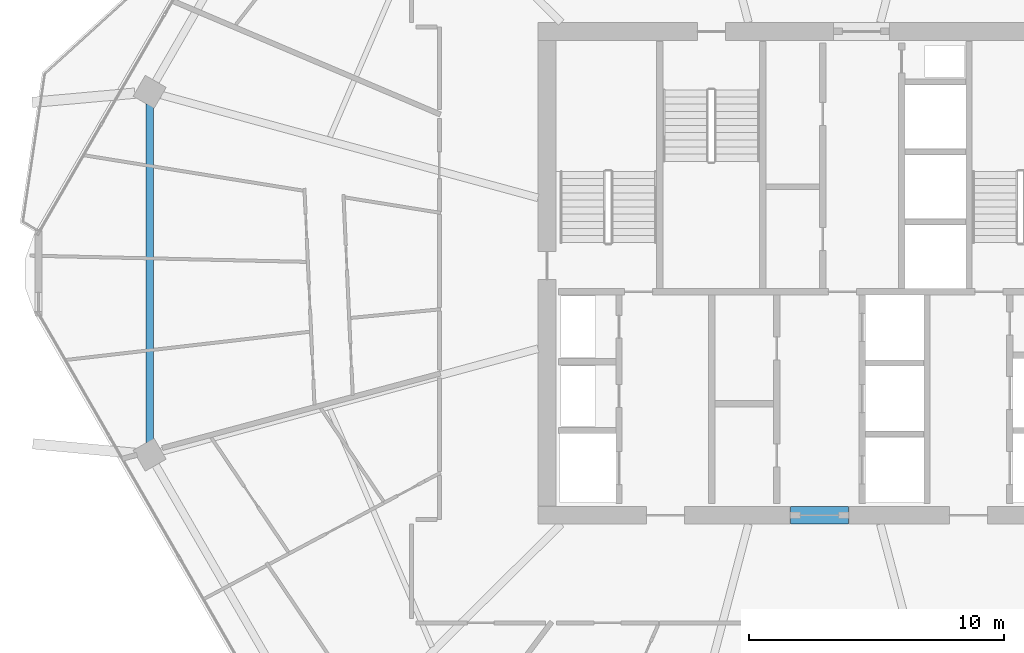
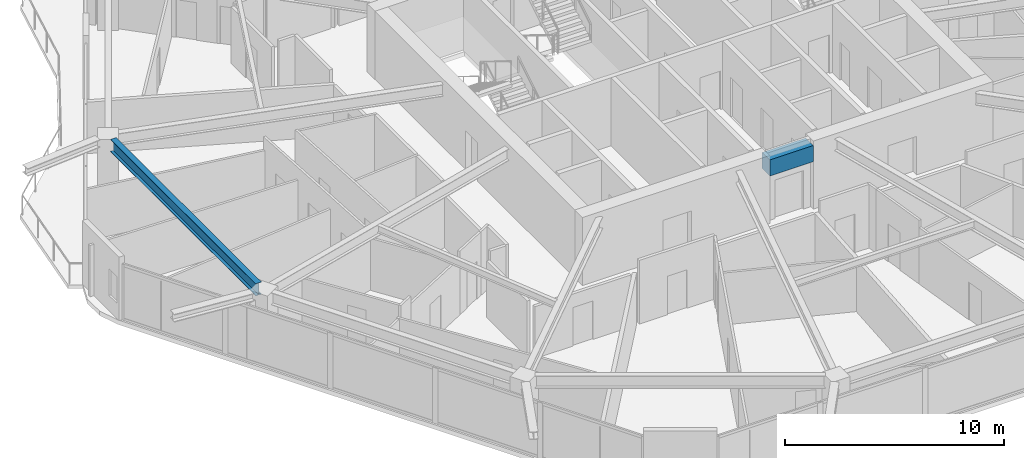
# One storey, part 6 of 27: 2 beams.
"""IFC4 building model written with IfcOpenShell, lengths in metres."""

from ifc_helpers import new_model, si_unit, direction, frame, origin, origin_2d, place, context, subcontext, project, spatial, rectangle, i_section, extrude, material, material_profile, profile_set, type_object, element, save


model = new_model("IFC4")

# Units and contexts
model_context = context("Model", 3, precision=1e-05, world=origin(), true_north=direction((0.0, 1.0)))
body_context = subcontext(model_context, "Body", "Model", "MODEL_VIEW")
ifc_project = project(units=[si_unit("LENGTHUNIT", "METRE"), si_unit("AREAUNIT", "SQUARE_METRE"), si_unit("VOLUMEUNIT", "CUBIC_METRE"), si_unit("PLANEANGLEUNIT", "RADIAN"), si_unit("MASSUNIT", "GRAM", prefix="KILO")], contexts=[model_context])

# Site, building, storey
site_placement = place(None, origin())
site = spatial("IfcSite", under=ifc_project, at=site_placement, CompositionType="ELEMENT")
building_placement = place(site_placement, origin())
building = spatial("IfcBuilding", under=site, at=building_placement, Name="Zuhravey Tower", CompositionType="ELEMENT")
storey_placement = place(building_placement, frame((0.0, 0.0, 188.39990234375)))
storey = spatial("IfcBuildingStorey", under=building, at=storey_placement, Name="L47", CompositionType="ELEMENT", Elevation=188.39990234375)

# Beams
ifc_material_1 = material(Name="Concrete C60/75", Category="concrete")
ifc_material_profile_1 = material_profile(ifc_material_1, rectangle(XDim=0.699951171875, YDim=0.89990234375, at=origin_2d()), Name="RC-700x900")
ifc_profile_set_1 = profile_set([ifc_material_profile_1], Name="Concrete C60/75")
beam_type_1 = type_object("IfcBeamType", Name="Core Coupling Beam RC700x900", PredefinedType="LINTEL", material=ifc_profile_set_1)
beam_1_placement = place(storey_placement, frame((35.052001953125, 22.5, 3.10009765625), z_axis=(1.0, 0.0, 0.0), x_axis=(0.0, 1.0, 0.0)))
element("IfcBeam", 1, at=beam_1_placement, inside=storey, type_object=beam_type_1, Name="L47 CB1 BM-L47-CB-S", PredefinedType="LINTEL", context=body_context, shape_type="SweptSolid", body=[
    extrude(rectangle(XDim=0.699951171875, YDim=0.89990234375, at=origin_2d()), origin(), (0.0, 0.0, 1.0), 2.2958984375),
])
ifc_material_2 = material(Name="Steel SM355", Category="steel")
ifc_material_profile_2 = material_profile(ifc_material_2, i_section(OverallWidth=0.300048828125, OverallDepth=0.679931640625, WebThickness=0.012939453125, FlangeThickness=0.02197265625, at=origin_2d()), Name="H-680x300x13x22")
ifc_profile_set_2 = profile_set([ifc_material_profile_2], Name="Steel SM355")
beam_type_2 = type_object("IfcBeamType", Name="Perimeter Ring Beam H680x300", PredefinedType="BEAM", material=ifc_profile_set_2)
beam_2_placement = place(storey_placement, frame((9.892333984375, 38.6484375, 3.210205078125), z_axis=(0.0, -1.0, 0.0), x_axis=(1.0, 0.0, 0.0)))
element("IfcBeam", 2, at=beam_2_placement, inside=storey, type_object=beam_type_2, Name="L47 PB2 BM-L47-PB-06", PredefinedType="BEAM", context=body_context, shape_type="SweptSolid", body=[
    extrude(i_section(OverallWidth=0.300048828125, OverallDepth=0.679931640625, WebThickness=0.012939453125, FlangeThickness=0.02197265625, at=origin_2d()), origin(), (0.0, 0.0, 1.0), 13.296875),
])

save(model, "model.ifc")
